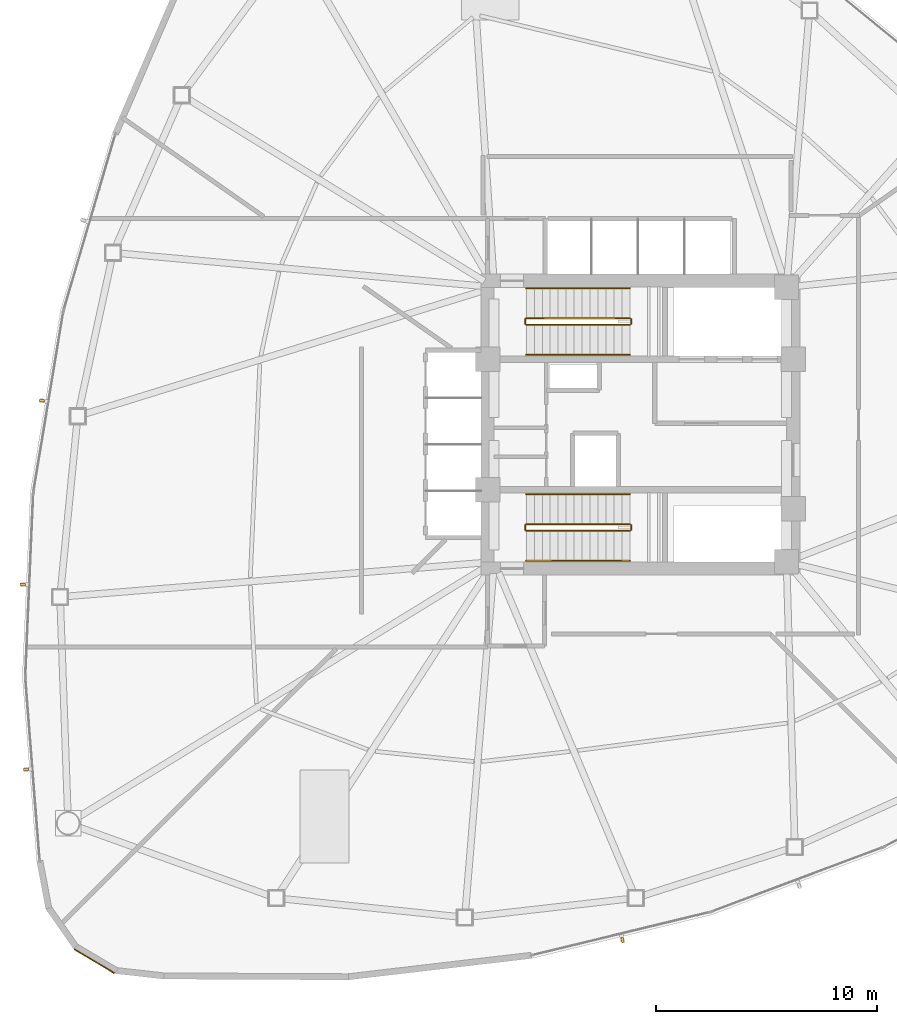
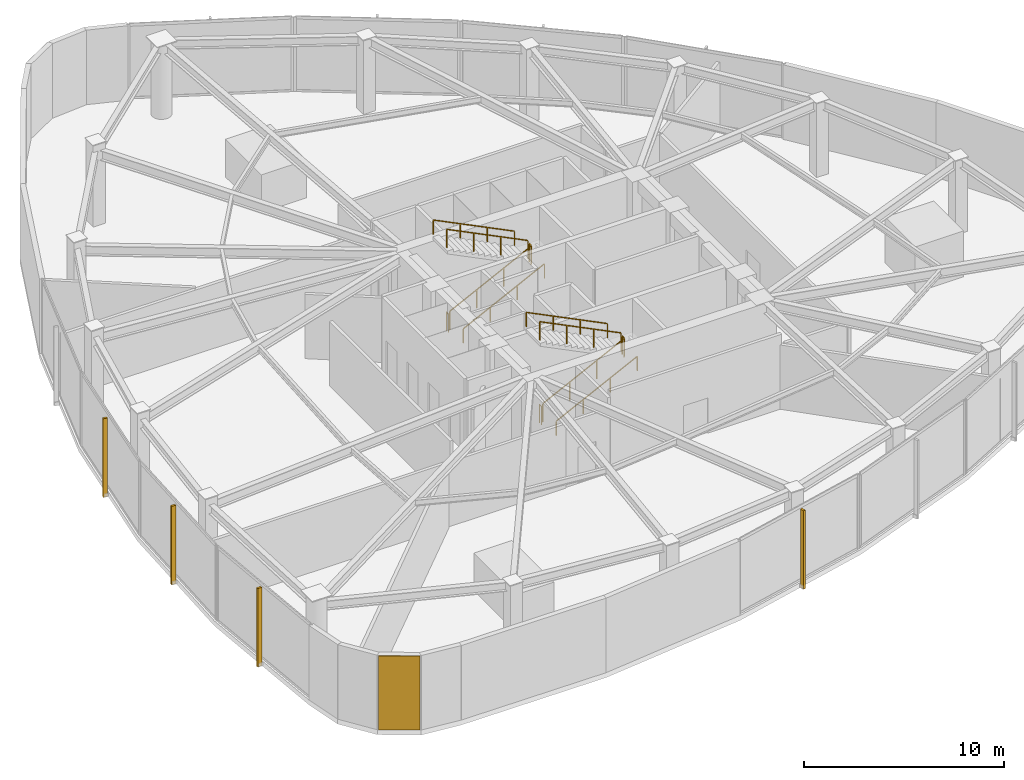
# One storey, part 13 of 16: 12 railings, 4 shading devices, 1 covering.
"""IFC4 building model written with IfcOpenShell, lengths in metres."""

from ifc_helpers import new_model, si_unit, direction, frame, origin, origin_2d, place, context, subcontext, project, spatial, rectangle, extrude, source, transform, mapped, material, layer, layer_set, type_object, type_shapes, element, save


model = new_model("IFC4")

# Units and contexts
model_context = context("Model", 3, precision=1e-05, world=origin(), true_north=direction((0.0, 1.0)))
body_context = subcontext(model_context, "Body", "Model", "MODEL_VIEW")
ifc_project = project(units=[si_unit("LENGTHUNIT", "METRE"), si_unit("AREAUNIT", "SQUARE_METRE"), si_unit("VOLUMEUNIT", "CUBIC_METRE"), si_unit("PLANEANGLEUNIT", "RADIAN"), si_unit("MASSUNIT", "GRAM", prefix="KILO")], contexts=[model_context])

# Site, building, storey
site_placement = place(None, origin())
site = spatial("IfcSite", under=ifc_project, at=site_placement, CompositionType="ELEMENT")
building_placement = place(site_placement, origin())
building = spatial("IfcBuilding", under=site, at=building_placement, Name="Tavelor Broadcast Tower", CompositionType="ELEMENT")
storey_placement = place(building_placement, frame((0.0, 0.0, 97.800048828125)))
storey = spatial("IfcBuildingStorey", under=building, at=storey_placement, Name="L23", CompositionType="ELEMENT", Elevation=97.800048828125)

# Covering
ifc_material_1 = material(Name="Copper-Bronze Anodized Aluminium", Category="aluminium")
ifc_layer = layer(ifc_material_1, 0.050048828125)
ifc_layer_set = layer_set([ifc_layer], Name="Copper-Bronze Anodized Aluminium")
covering_type = type_object("IfcCoveringType", Name="Champagne-Bronze Corner Pier Metal Cladding 50 mm", PredefinedType="CLADDING", material=ifc_layer_set)
covering_placement = place(storey_placement, frame((25.34228515625, 20.764404296875, 0.02001953125), z_axis=(0.0, 0.0, 1.0), x_axis=(0.859406411501, -0.511293086077, 0.0)))
element("IfcCovering", 1, at=covering_placement, inside=storey, type_object=covering_type, Name="L23 Champagne-Bronze Corner Cladding 13", PredefinedType="CLADDING", context=body_context, shape_type="SweptSolid", body=[
    extrude(rectangle(XDim=2.093017578125, YDim=0.050048828125, at=origin_2d()), origin(), (0.0, 0.0, 1.0), 4.510009765625),
])

# Railings
ifc_material_2 = material(Name="Steel S355", Category="steel")
railing_type_1 = type_object("IfcRailingType", Name="Continuous Brushed Stainless Handrail 900 mm", PredefinedType="HANDRAIL", material=ifc_material_2)
railing_1_placement = place(storey_placement, frame((44.85009765625, 48.14990234375, 0.178466796875)))
element("IfcRailing", 2, at=railing_1_placement, inside=storey, type_object=railing_type_1, Name="L23 ST1 stair handrail 1", PredefinedType="HANDRAIL", context=body_context, shape_type="SweptSolid", body=[
    extrude(rectangle(XDim=0.048095703125, YDim=0.048095703125, at=origin_2d()), frame((0.0, 0.0, 0.8759765625), z_axis=(0.89583408805, 0.0, 0.444388666246), x_axis=(0.0, 1.0, 0.0)), (0.0, 0.0, 1.0), 5.22412109375),
    extrude(rectangle(XDim=0.0419921875, YDim=0.0419921875, at=origin_2d()), origin(), (0.0, 0.0, 1.0), 0.851806640625),
    extrude(rectangle(XDim=0.0419921875, YDim=0.0419921875, at=origin_2d()), frame((1.56005859375, 0.0, 0.77392578125)), (0.0, 0.0, 1.0), 0.851806640625),
    extrude(rectangle(XDim=0.0419921875, YDim=0.0419921875, at=origin_2d()), frame((3.119873046875, 0.0, 1.547607421875)), (0.0, 0.0, 1.0), 0.851806640625),
    extrude(rectangle(XDim=0.0419921875, YDim=0.0419921875, at=origin_2d()), frame((4.679931640625, 0.0, 2.321533203125)), (0.0, 0.0, 1.0), 0.851806640625),
])
railing_2_placement = place(storey_placement, frame((49.530029296875, 51.14990234375, 2.678466796875)))
element("IfcRailing", 3, at=railing_2_placement, inside=storey, type_object=railing_type_1, Name="L23 ST1 stair handrail 2", PredefinedType="HANDRAIL", context=body_context, shape_type="SweptSolid", body=[
    extrude(rectangle(XDim=0.048095703125, YDim=0.048095703125, at=origin_2d()), frame((0.0, 0.0, 0.8759765625), z_axis=(-0.89583408805, 0.0, 0.444388666246), x_axis=(0.0, -1.0, 0.0)), (0.0, 0.0, 1.0), 5.22412109375),
    extrude(rectangle(XDim=0.0419921875, YDim=0.0419921875, at=origin_2d()), origin(), (0.0, 0.0, 1.0), 0.851806640625),
    extrude(rectangle(XDim=0.0419921875, YDim=0.0419921875, at=origin_2d()), frame((-1.56005859375, 0.0, 0.77392578125)), (0.0, 0.0, 1.0), 0.851806640625),
    extrude(rectangle(XDim=0.0419921875, YDim=0.0419921875, at=origin_2d()), frame((-3.119873046875, 0.0, 1.547607421875)), (0.0, 0.0, 1.0), 0.851806640625),
    extrude(rectangle(XDim=0.0419921875, YDim=0.0419921875, at=origin_2d()), frame((-4.679931640625, 0.0, 2.321533203125)), (0.0, 0.0, 1.0), 0.851806640625),
])
railing_3_placement = place(storey_placement, frame((44.85009765625, 38.85009765625, 0.178466796875)))
element("IfcRailing", 4, at=railing_3_placement, inside=storey, type_object=railing_type_1, Name="L23 ST2 stair handrail 1", PredefinedType="HANDRAIL", context=body_context, shape_type="SweptSolid", body=[
    extrude(rectangle(XDim=0.048095703125, YDim=0.048095703125, at=origin_2d()), frame((0.0, 0.0, 0.8759765625), z_axis=(0.89583408805, 0.0, 0.444388666246), x_axis=(0.0, 1.0, 0.0)), (0.0, 0.0, 1.0), 5.22412109375),
    extrude(rectangle(XDim=0.0419921875, YDim=0.0419921875, at=origin_2d()), origin(), (0.0, 0.0, 1.0), 0.851806640625),
    extrude(rectangle(XDim=0.0419921875, YDim=0.0419921875, at=origin_2d()), frame((1.56005859375, 0.0, 0.77392578125)), (0.0, 0.0, 1.0), 0.851806640625),
    extrude(rectangle(XDim=0.0419921875, YDim=0.0419921875, at=origin_2d()), frame((3.119873046875, 0.0, 1.547607421875)), (0.0, 0.0, 1.0), 0.851806640625),
    extrude(rectangle(XDim=0.0419921875, YDim=0.0419921875, at=origin_2d()), frame((4.679931640625, 0.0, 2.321533203125)), (0.0, 0.0, 1.0), 0.851806640625),
])
railing_4_placement = place(storey_placement, frame((49.530029296875, 41.85009765625, 2.678466796875)))
element("IfcRailing", 5, at=railing_4_placement, inside=storey, type_object=railing_type_1, Name="L23 ST2 stair handrail 2", PredefinedType="HANDRAIL", context=body_context, shape_type="SweptSolid", body=[
    extrude(rectangle(XDim=0.048095703125, YDim=0.048095703125, at=origin_2d()), frame((0.0, 0.0, 0.8759765625), z_axis=(-0.89583408805, 0.0, 0.444388666246), x_axis=(0.0, -1.0, 0.0)), (0.0, 0.0, 1.0), 5.22412109375),
    extrude(rectangle(XDim=0.0419921875, YDim=0.0419921875, at=origin_2d()), origin(), (0.0, 0.0, 1.0), 0.851806640625),
    extrude(rectangle(XDim=0.0419921875, YDim=0.0419921875, at=origin_2d()), frame((-1.56005859375, 0.0, 0.77392578125)), (0.0, 0.0, 1.0), 0.851806640625),
    extrude(rectangle(XDim=0.0419921875, YDim=0.0419921875, at=origin_2d()), frame((-3.119873046875, 0.0, 1.547607421875)), (0.0, 0.0, 1.0), 0.851806640625),
    extrude(rectangle(XDim=0.0419921875, YDim=0.0419921875, at=origin_2d()), frame((-4.679931640625, 0.0, 2.321533203125)), (0.0, 0.0, 1.0), 0.851806640625),
])
railing_type_2 = type_object("IfcRailingType", Name="Stairwell Steel Safety Guardrail 1150 mm", PredefinedType="GUARDRAIL", material=ifc_material_2)
railing_5_placement = place(storey_placement, frame((44.85009765625, 49.5, 0.178466796875)))
element("IfcRailing", 6, at=railing_5_placement, inside=storey, type_object=railing_type_2, Name="L23 ST1 stair guard 1", PredefinedType="GUARDRAIL", context=body_context, shape_type="SweptSolid", body=[
    extrude(rectangle(XDim=0.048095703125, YDim=0.048095703125, at=origin_2d()), frame((0.0, 0.0, 1.1259765625), z_axis=(0.89583408805, 0.0, 0.444388666246), x_axis=(0.0, 1.0, 0.0)), (0.0, 0.0, 1.0), 5.22412109375),
    extrude(rectangle(XDim=0.0419921875, YDim=0.0419921875, at=origin_2d()), origin(), (0.0, 0.0, 1.0), 1.101806640625),
    extrude(rectangle(XDim=0.0419921875, YDim=0.0419921875, at=origin_2d()), frame((1.56005859375, 0.0, 0.77392578125)), (0.0, 0.0, 1.0), 1.101806640625),
    extrude(rectangle(XDim=0.0419921875, YDim=0.0419921875, at=origin_2d()), frame((3.119873046875, 0.0, 1.547607421875)), (0.0, 0.0, 1.0), 1.101806640625),
    extrude(rectangle(XDim=0.0419921875, YDim=0.0419921875, at=origin_2d()), frame((4.679931640625, 0.0, 2.321533203125)), (0.0, 0.0, 1.0), 1.101806640625),
])
railing_6_placement = place(storey_placement, frame((49.580078125, 49.550048828125, 2.5)))
element("IfcRailing", 7, at=railing_6_placement, inside=storey, type_object=railing_type_2, Name="L23 ST1 stair guard 2", PredefinedType="GUARDRAIL", context=body_context, shape_type="SweptSolid", body=[
    extrude(rectangle(XDim=0.048095703125, YDim=0.048095703125, at=origin_2d()), frame((0.0, 0.0, 1.1259765625), z_axis=(0.0, 1.0, 0.0), x_axis=(-1.0, 0.0, 0.0)), (0.0, 0.0, 1.0), 0.199951171875),
    extrude(rectangle(XDim=0.0419921875, YDim=0.0419921875, at=origin_2d()), origin(), (0.0, 0.0, 1.0), 1.101806640625),
    extrude(rectangle(XDim=0.0419921875, YDim=0.0419921875, at=origin_2d()), frame((0.0, 0.199951171875, 0.0)), (0.0, 0.0, 1.0), 1.101806640625),
])
railing_7_placement = place(storey_placement, frame((49.530029296875, 49.800048828125, 2.678466796875)))
element("IfcRailing", 8, at=railing_7_placement, inside=storey, type_object=railing_type_2, Name="L23 ST1 stair guard 3", PredefinedType="GUARDRAIL", context=body_context, shape_type="SweptSolid", body=[
    extrude(rectangle(XDim=0.048095703125, YDim=0.048095703125, at=origin_2d()), frame((0.0, 0.0, 1.1259765625), z_axis=(-0.89583408805, 0.0, 0.444388666246), x_axis=(0.0, -1.0, 0.0)), (0.0, 0.0, 1.0), 5.22412109375),
    extrude(rectangle(XDim=0.0419921875, YDim=0.0419921875, at=origin_2d()), origin(), (0.0, 0.0, 1.0), 1.101806640625),
    extrude(rectangle(XDim=0.0419921875, YDim=0.0419921875, at=origin_2d()), frame((-1.56005859375, 0.0, 0.77392578125)), (0.0, 0.0, 1.0), 1.101806640625),
    extrude(rectangle(XDim=0.0419921875, YDim=0.0419921875, at=origin_2d()), frame((-3.119873046875, 0.0, 1.547607421875)), (0.0, 0.0, 1.0), 1.101806640625),
    extrude(rectangle(XDim=0.0419921875, YDim=0.0419921875, at=origin_2d()), frame((-4.679931640625, 0.0, 2.321533203125)), (0.0, 0.0, 1.0), 1.101806640625),
])
railing_8_placement = place(storey_placement, frame((44.800048828125, 49.550048828125, 0.0)))
element("IfcRailing", 9, at=railing_8_placement, inside=storey, type_object=railing_type_2, Name="L23 ST1 stair guard 4", PredefinedType="GUARDRAIL", context=body_context, shape_type="SweptSolid", body=[
    extrude(rectangle(XDim=0.048095703125, YDim=0.048095703125, at=origin_2d()), frame((0.0, 0.0, 1.1259765625), z_axis=(0.0, 1.0, 0.0), x_axis=(-1.0, 0.0, 0.0)), (0.0, 0.0, 1.0), 0.199951171875),
    extrude(rectangle(XDim=0.0419921875, YDim=0.0419921875, at=origin_2d()), origin(), (0.0, 0.0, 1.0), 1.101806640625),
    extrude(rectangle(XDim=0.0419921875, YDim=0.0419921875, at=origin_2d()), frame((0.0, 0.199951171875, 0.0)), (0.0, 0.0, 1.0), 1.101806640625),
])
railing_9_placement = place(storey_placement, frame((44.85009765625, 40.199951171875, 0.178466796875)))
element("IfcRailing", 10, at=railing_9_placement, inside=storey, type_object=railing_type_2, Name="L23 ST2 stair guard 1", PredefinedType="GUARDRAIL", context=body_context, shape_type="SweptSolid", body=[
    extrude(rectangle(XDim=0.048095703125, YDim=0.048095703125, at=origin_2d()), frame((0.0, 0.0, 1.1259765625), z_axis=(0.89583408805, 0.0, 0.444388666246), x_axis=(0.0, 1.0, 0.0)), (0.0, 0.0, 1.0), 5.22412109375),
    extrude(rectangle(XDim=0.0419921875, YDim=0.0419921875, at=origin_2d()), origin(), (0.0, 0.0, 1.0), 1.101806640625),
    extrude(rectangle(XDim=0.0419921875, YDim=0.0419921875, at=origin_2d()), frame((1.56005859375, 0.0, 0.77392578125)), (0.0, 0.0, 1.0), 1.101806640625),
    extrude(rectangle(XDim=0.0419921875, YDim=0.0419921875, at=origin_2d()), frame((3.119873046875, 0.0, 1.547607421875)), (0.0, 0.0, 1.0), 1.101806640625),
    extrude(rectangle(XDim=0.0419921875, YDim=0.0419921875, at=origin_2d()), frame((4.679931640625, 0.0, 2.321533203125)), (0.0, 0.0, 1.0), 1.101806640625),
])
railing_10_placement = place(storey_placement, frame((49.580078125, 40.25, 2.5)))
element("IfcRailing", 11, at=railing_10_placement, inside=storey, type_object=railing_type_2, Name="L23 ST2 stair guard 2", PredefinedType="GUARDRAIL", context=body_context, shape_type="SweptSolid", body=[
    extrude(rectangle(XDim=0.048095703125, YDim=0.048095703125, at=origin_2d()), frame((0.0, 0.0, 1.1259765625), z_axis=(0.0, 1.0, 0.0), x_axis=(-1.0, 0.0, 0.0)), (0.0, 0.0, 1.0), 0.199951171875),
    extrude(rectangle(XDim=0.0419921875, YDim=0.0419921875, at=origin_2d()), origin(), (0.0, 0.0, 1.0), 1.101806640625),
    extrude(rectangle(XDim=0.0419921875, YDim=0.0419921875, at=origin_2d()), frame((0.0, 0.199951171875, 0.0)), (0.0, 0.0, 1.0), 1.101806640625),
])
railing_11_placement = place(storey_placement, frame((49.530029296875, 40.5, 2.678466796875)))
element("IfcRailing", 12, at=railing_11_placement, inside=storey, type_object=railing_type_2, Name="L23 ST2 stair guard 3", PredefinedType="GUARDRAIL", context=body_context, shape_type="SweptSolid", body=[
    extrude(rectangle(XDim=0.048095703125, YDim=0.048095703125, at=origin_2d()), frame((0.0, 0.0, 1.1259765625), z_axis=(-0.89583408805, 0.0, 0.444388666246), x_axis=(0.0, -1.0, 0.0)), (0.0, 0.0, 1.0), 5.22412109375),
    extrude(rectangle(XDim=0.0419921875, YDim=0.0419921875, at=origin_2d()), origin(), (0.0, 0.0, 1.0), 1.101806640625),
    extrude(rectangle(XDim=0.0419921875, YDim=0.0419921875, at=origin_2d()), frame((-1.56005859375, 0.0, 0.77392578125)), (0.0, 0.0, 1.0), 1.101806640625),
    extrude(rectangle(XDim=0.0419921875, YDim=0.0419921875, at=origin_2d()), frame((-3.119873046875, 0.0, 1.547607421875)), (0.0, 0.0, 1.0), 1.101806640625),
    extrude(rectangle(XDim=0.0419921875, YDim=0.0419921875, at=origin_2d()), frame((-4.679931640625, 0.0, 2.321533203125)), (0.0, 0.0, 1.0), 1.101806640625),
])
railing_12_placement = place(storey_placement, frame((44.800048828125, 40.25, 0.0)))
element("IfcRailing", 13, at=railing_12_placement, inside=storey, type_object=railing_type_2, Name="L23 ST2 stair guard 4", PredefinedType="GUARDRAIL", context=body_context, shape_type="SweptSolid", body=[
    extrude(rectangle(XDim=0.048095703125, YDim=0.048095703125, at=origin_2d()), frame((0.0, 0.0, 1.1259765625), z_axis=(0.0, 1.0, 0.0), x_axis=(-1.0, 0.0, 0.0)), (0.0, 0.0, 1.0), 0.199951171875),
    extrude(rectangle(XDim=0.0419921875, YDim=0.0419921875, at=origin_2d()), origin(), (0.0, 0.0, 1.0), 1.101806640625),
    extrude(rectangle(XDim=0.0419921875, YDim=0.0419921875, at=origin_2d()), frame((0.0, 0.199951171875, 0.0)), (0.0, 0.0, 1.0), 1.101806640625),
])

# Shading devices
ifc_material_3 = material(Name="Kiln-Fired Glazed Terracotta", Category="masonry")
shading_device_type = type_object("IfcShadingDeviceType", Name="Extruded Terracotta Baguette Sun-Screen 110x240", PredefinedType="JALOUSIE", material=ifc_material_3)
shared_shape = source(origin(), body_context, "Body", "SweptSolid", [
    extrude(rectangle(XDim=0.110107421875, YDim=0.239990234375, at=origin_2d()), origin(), (0.0, 0.0, 1.0), 4.7900390625),
])
type_shapes(shading_device_type, [shared_shape])
for number, where, z_axis, x_axis, name in (
    (14, (22.972900390625, 46.081787109375, -0.260009765625), (0.0, 0.0, 1.0), (-0.163670330935, -0.986515089987, 0.0), "L23 Terracotta Baguette Fin 230"),
    (15, (22.107177734375, 37.77587890625, -0.260009765625), (0.0, 0.0, 1.0), (-0.043096280984, -0.999070923691, 0.0), "L23 Terracotta Baguette Fin 231"),
    (16, (22.253173828125, 29.426025390625, -0.260009765625), (0.0, 0.0, 1.0), (0.078111101158, -0.996944660388, 0.0), "L23 Terracotta Baguette Fin 232"),
    (17, (49.194580078125, 21.715087890625, -0.260009765625), (0.0, 0.0, 1.0), (0.971878861283, 0.235481377163, 0.0), "L23 Terracotta Baguette Fin 233"),
):
    element("IfcShadingDevice", number, at=place(storey_placement, frame(where, z_axis=z_axis, x_axis=x_axis)), inside=storey, type_object=shading_device_type, Name=name, PredefinedType="JALOUSIE", context=body_context, shape_type="MappedRepresentation", body=[
        mapped(shared_shape, transform((0.0, 0.0, 0.0), scale=1.0)),
    ])

save(model, "model.ifc")
